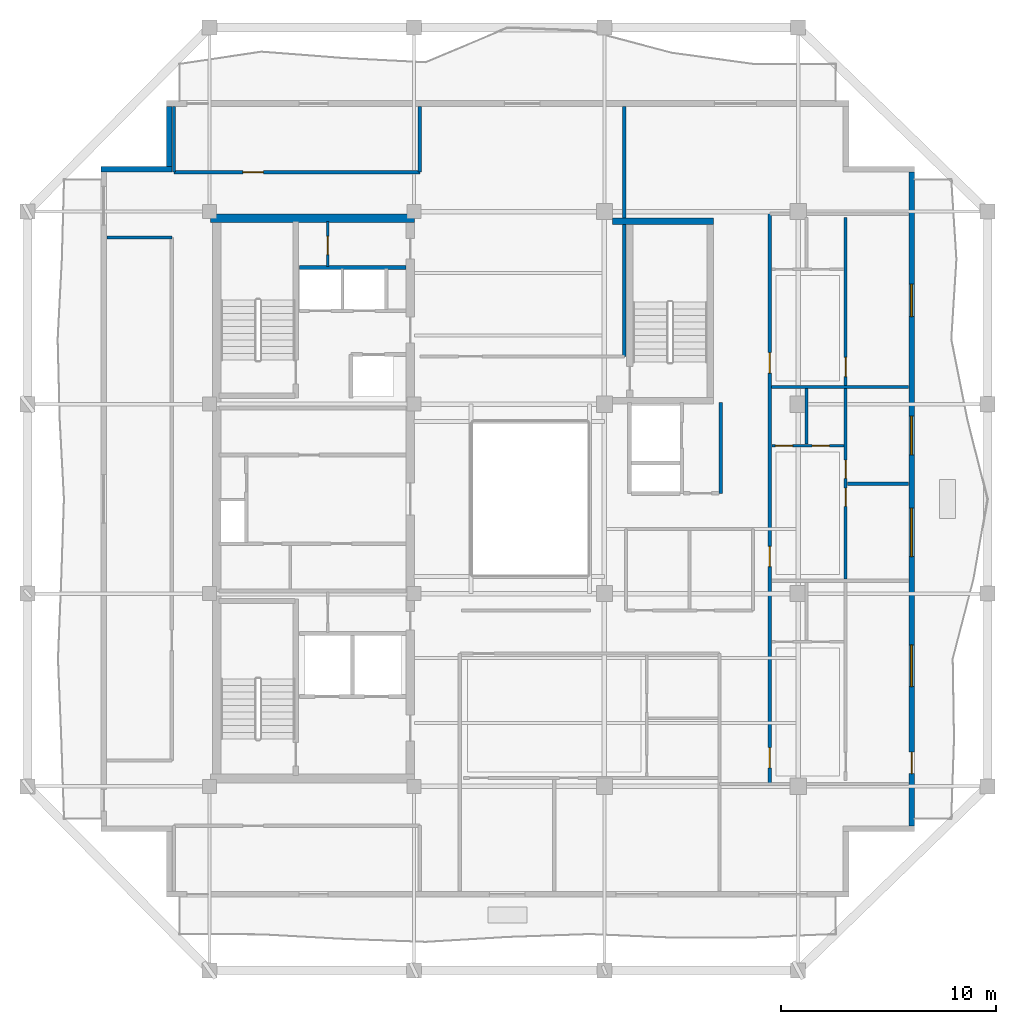
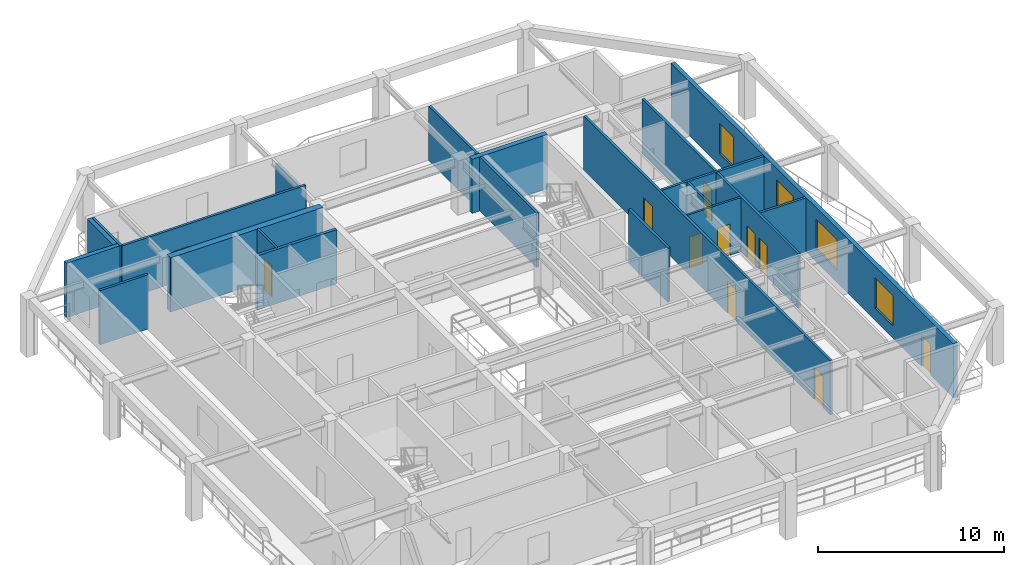
# One storey, part 5 of 10: 20 walls, 11 doors, 4 windows, 15 openings.
"""IFC4 building model written with IfcOpenShell, lengths in metres."""

from ifc_helpers import new_model, si_unit, direction, frame, frame_2d, origin, place, context, subcontext, project, spatial, rectangle, extrude, material, layer, layer_set, type_object, element, fill, save


model = new_model("IFC4")

# Units and contexts
model_context = context("Model", 3, precision=1e-05, world=origin(), true_north=direction((0.0, 1.0)))
body_context = subcontext(model_context, "Body", "Model", "MODEL_VIEW")
ifc_project = project(units=[si_unit("LENGTHUNIT", "METRE"), si_unit("AREAUNIT", "SQUARE_METRE"), si_unit("VOLUMEUNIT", "CUBIC_METRE"), si_unit("PLANEANGLEUNIT", "RADIAN"), si_unit("MASSUNIT", "GRAM", prefix="KILO")], contexts=[model_context])

# Site, building, storey
site_placement = place(None, origin())
site = spatial("IfcSite", under=ifc_project, at=site_placement, CompositionType="ELEMENT")
building_placement = place(site_placement, origin())
building = spatial("IfcBuilding", under=site, at=building_placement, Name="Kundavana Baori Tower", CompositionType="ELEMENT")
storey_placement = place(building_placement, frame((0.0, 0.0, 312.5)))
storey = spatial("IfcBuildingStorey", under=building, at=storey_placement, Name="L77", CompositionType="ELEMENT", Elevation=312.5)

# Wall
ifc_material_1 = material(Name="Concrete C50/60", Category="concrete")
ifc_layer_1 = layer(ifc_material_1, 0.39990234375, Name="WL-CORE-400")
ifc_layer_set_1 = layer_set([ifc_layer_1], Name="Concrete C50/60")
wall_type_1 = type_object("IfcWallType", Name="WL-CORE-400", PredefinedType="SHEAR", material=ifc_layer_set_1)
wall_1_placement = place(storey_placement, frame((15.5, 41.639892578125, 0.0), z_axis=(0.0, 0.0, 1.0), x_axis=(1.0, 0.0, 0.0)))
element("IfcWall", 1, at=wall_1_placement, inside=storey, type_object=wall_type_1, Name="L77 Offset Core North Shear Wall", PredefinedType="SHEAR", context=body_context, shape_type="SweptSolid", body=[
    extrude(rectangle(XDim=9.47998046875, YDim=0.39990234375, at=frame_2d((4.739990234375, 0.0))), origin(), (0.0, 0.0, 1.0), 3.56005859375),
])

# Wall, openings, door, windows
ifc_material_2 = material(Name="Kiln-Fired Terracotta Brick-Slip Masonry on Concrete C40/50", Category="masonry")
ifc_layer_2 = layer(ifc_material_2, 0.260009765625, Name="WL-EXT-BRK-260")
ifc_layer_set_2 = layer_set([ifc_layer_2], Name="Kiln-Fired Terracotta Brick-Slip Masonry on Concrete C40/50")
wall_type_2 = type_object("IfcWallType", Name="WL-EXT-BRK-260", PredefinedType="SOLIDWALL", material=ifc_layer_set_2)
wall_2_placement = place(storey_placement, frame((48.070068359375, 13.409912109375, 0.0), z_axis=(0.0, 0.0, 1.0), x_axis=(0.0, 1.0, 0.0)))
wall_2 = element("IfcWall", 2, at=wall_2_placement, inside=storey, type_object=wall_type_2, Name="L77 Exterior Insulated Facade Wall 04", PredefinedType="SOLIDWALL", context=body_context, shape_type="SweptSolid", body=[
    extrude(rectangle(XDim=30.380126953125, YDim=0.260009765625, at=frame_2d((15.18994140625, 0.0))), origin(), (0.0, 0.0, 1.0), 3.56005859375),
])
opening_1_placement = place(wall_2_placement, frame((2.429931640625, 0.0, 0.0)))
opening_1 = element("IfcOpeningElement", 3, at=opening_1_placement, cuts=wall_2, Name="Opening BD-1", PredefinedType="OPENING", context=body_context, shape_type="SweptSolid", body=[
    extrude(rectangle(XDim=1.0, YDim=2.050048828125, at=frame_2d((0.5, 1.02490234375))), frame((0.0, 0.14013671875, 0.0), z_axis=(0.0, -1.0, 0.0), x_axis=(1.0, 0.0, 0.0)), (0.0, 0.0, 1.0), 0.280029296875),
])
opening_2_placement = place(wall_2_placement, frame((6.465087890625, 0.0, 0.800048828125)))
opening_2 = element("IfcOpeningElement", 4, at=opening_2_placement, cuts=wall_2, Name="Opening W-09", PredefinedType="OPENING", context=body_context, shape_type="SweptSolid", body=[
    extrude(rectangle(XDim=1.949951171875, YDim=2.0, at=frame_2d((0.97509765625, 1.0))), frame((0.0, 0.14013671875, 0.0), z_axis=(0.0, -1.0, 0.0), x_axis=(1.0, 0.0, 0.0)), (0.0, 0.0, 1.0), 0.280029296875),
])
opening_3_placement = place(wall_2_placement, frame((12.514892578125, 0.0, 0.800048828125)))
opening_3 = element("IfcOpeningElement", 5, at=opening_3_placement, cuts=wall_2, Name="Opening W-10", PredefinedType="OPENING", context=body_context, shape_type="SweptSolid", body=[
    extrude(rectangle(XDim=2.25, YDim=2.0, at=frame_2d((1.125, 1.0))), frame((0.0, 0.14013671875, 0.0), z_axis=(0.0, -1.0, 0.0), x_axis=(1.0, 0.0, 0.0)), (0.0, 0.0, 1.0), 0.280029296875),
])
opening_4_placement = place(wall_2_placement, frame((17.239990234375, 0.0, 0.800048828125)))
opening_4 = element("IfcOpeningElement", 6, at=opening_4_placement, cuts=wall_2, Name="Opening W-01", PredefinedType="OPENING", context=body_context, shape_type="SweptSolid", body=[
    extrude(rectangle(XDim=1.800048828125, YDim=2.0, at=frame_2d((0.89990234375, 1.0))), frame((0.0, 0.14013671875, 0.0), z_axis=(0.0, -1.0, 0.0), x_axis=(1.0, 0.0, 0.0)), (0.0, 0.0, 1.0), 0.280029296875),
])
opening_5_placement = place(wall_2_placement, frame((23.6650390625, 0.0, 0.800048828125)))
opening_5 = element("IfcOpeningElement", 7, at=opening_5_placement, cuts=wall_2, Name="Opening W-02", PredefinedType="OPENING", context=body_context, shape_type="SweptSolid", body=[
    extrude(rectangle(XDim=1.5, YDim=2.0, at=frame_2d((0.75, 1.0))), frame((0.0, 0.14013671875, 0.0), z_axis=(0.0, -1.0, 0.0), x_axis=(1.0, 0.0, 0.0)), (0.0, 0.0, 1.0), 0.280029296875),
])
ifc_material_3 = material(Name="Architectural Patinated Bronze Metalwork")
door_type_1 = type_object("IfcDoorType", Name="DR-EXT-LOG-1000", OperationType="NOTDEFINED", PredefinedType="DOOR", material=ifc_material_3)
door_1_placement = place(opening_1_placement, frame((1.0, 0.0, 0.0), z_axis=(0.0, 0.0, 1.0), x_axis=(-1.0, 0.0, 0.0)))
door_1 = element("IfcDoor", 8, at=door_1_placement, inside=storey, type_object=door_type_1, Name="L77 Loggia Balcony Access Door E", OperationType="SINGLE_SWING_RIGHT", OverallHeight=2.050048828125, OverallWidth=1.0, PredefinedType="DOOR", context=body_context, shape_type="SweptSolid", body=[
    extrude(rectangle(XDim=1.0, YDim=2.050048828125, at=frame_2d((0.5, 1.02490234375))), frame((0.0, 0.02490234375, 0.0), z_axis=(0.0, -1.0, 0.0), x_axis=(1.0, 0.0, 0.0)), (0.0, 0.0, 1.0), 0.050048828125),
])
fill(opening_1, door_1)
ifc_material_4 = material(Name="Double-Glazed Solar-Control Low-E Insulated Glass", Category="glass")
window_type_1 = type_object("IfcWindowType", Name="WIN-LOG-1500x2000", PartitioningType="SINGLE_PANEL", PredefinedType="WINDOW", material=ifc_material_4)
window_1_placement = place(opening_5_placement, origin())
window_1 = element("IfcWindow", 9, at=window_1_placement, inside=storey, type_object=window_type_1, Name="L77 Recessed Loggia Window E-4", OverallHeight=2.0, OverallWidth=1.5, PartitioningType="SINGLE_PANEL", PredefinedType="WINDOW", context=body_context, shape_type="SweptSolid", body=[
    extrude(rectangle(XDim=1.5, YDim=2.0, at=frame_2d((0.75, 1.0))), frame((0.0, 0.030029296875, 0.0), z_axis=(0.0, -1.0, 0.0), x_axis=(1.0, 0.0, 0.0)), (0.0, 0.0, 1.0), 0.06005859375),
])
fill(opening_5, window_1)
ifc_material_5 = material(Name="Double-Glazed Solar-Control Low-E Insulated Glass", Category="glass")
window_type_2 = type_object("IfcWindowType", Name="WIN-LOG-1800x2000", PartitioningType="SINGLE_PANEL", PredefinedType="WINDOW", material=ifc_material_5)
window_2_placement = place(opening_4_placement, origin())
window_2 = element("IfcWindow", 10, at=window_2_placement, inside=storey, type_object=window_type_2, Name="L77 Recessed Loggia Window E-3", OverallHeight=2.0, OverallWidth=1.800048828125, PartitioningType="SINGLE_PANEL", PredefinedType="WINDOW", context=body_context, shape_type="SweptSolid", body=[
    extrude(rectangle(XDim=1.800048828125, YDim=2.0, at=frame_2d((0.89990234375, 1.0))), frame((0.0, 0.030029296875, 0.0), z_axis=(0.0, -1.0, 0.0), x_axis=(1.0, 0.0, 0.0)), (0.0, 0.0, 1.0), 0.06005859375),
])
fill(opening_4, window_2)
ifc_material_6 = material(Name="Double-Glazed Solar-Control Low-E Insulated Glass", Category="glass")
window_type_3 = type_object("IfcWindowType", Name="WIN-LOG-1950x2000", PartitioningType="SINGLE_PANEL", PredefinedType="WINDOW", material=ifc_material_6)
window_3_placement = place(opening_2_placement, origin())
window_3 = element("IfcWindow", 11, at=window_3_placement, inside=storey, type_object=window_type_3, Name="L77 Recessed Loggia Window E-1", OverallHeight=2.0, OverallWidth=1.949951171875, PartitioningType="SINGLE_PANEL", PredefinedType="WINDOW", context=body_context, shape_type="SweptSolid", body=[
    extrude(rectangle(XDim=1.949951171875, YDim=2.0, at=frame_2d((0.97509765625, 1.0))), frame((0.0, 0.030029296875, 0.0), z_axis=(0.0, -1.0, 0.0), x_axis=(1.0, 0.0, 0.0)), (0.0, 0.0, 1.0), 0.06005859375),
])
fill(opening_2, window_3)
ifc_material_7 = material(Name="Double-Glazed Solar-Control Low-E Insulated Glass", Category="glass")
window_type_4 = type_object("IfcWindowType", Name="WIN-LOG-2250x2000", PartitioningType="SINGLE_PANEL", PredefinedType="WINDOW", material=ifc_material_7)
window_4_placement = place(opening_3_placement, origin())
window_4 = element("IfcWindow", 12, at=window_4_placement, inside=storey, type_object=window_type_4, Name="L77 Recessed Loggia Window E-2", OverallHeight=2.0, OverallWidth=2.25, PartitioningType="SINGLE_PANEL", PredefinedType="WINDOW", context=body_context, shape_type="SweptSolid", body=[
    extrude(rectangle(XDim=2.25, YDim=2.0, at=frame_2d((1.125, 1.0))), frame((0.0, 0.030029296875, 0.0), z_axis=(0.0, -1.0, 0.0), x_axis=(1.0, 0.0, 0.0)), (0.0, 0.0, 1.0), 0.06005859375),
])
fill(opening_3, window_4)

# Walls
wall_3_placement = place(storey_placement, frame((13.580078125, 46.840087890625, 0.0), z_axis=(0.0, 0.0, 1.0), x_axis=(0.0, -1.0, 0.0)))
element("IfcWall", 13, at=wall_3_placement, inside=storey, type_object=wall_type_2, Name="L77 Exterior Insulated Facade Wall 08", PredefinedType="SOLIDWALL", context=body_context, shape_type="SweptSolid", body=[
    extrude(rectangle(XDim=2.7900390625, YDim=0.260009765625, at=frame_2d((1.39501953125, 0.0))), origin(), (0.0, 0.0, 1.0), 3.56005859375),
])
wall_4_placement = place(storey_placement, frame((13.7099609375, 43.919921875, 0.0), z_axis=(0.0, 0.0, 1.0), x_axis=(-1.0, 0.0, 0.0)))
element("IfcWall", 14, at=wall_4_placement, inside=storey, type_object=wall_type_2, Name="L77 Exterior Insulated Facade Wall 09", PredefinedType="SOLIDWALL", context=body_context, shape_type="SweptSolid", body=[
    extrude(rectangle(XDim=3.31005859375, YDim=0.260009765625, at=frame_2d((1.655029296875, 0.0))), origin(), (0.0, 0.0, 1.0), 3.56005859375),
])

# Wall, opening, door
ifc_material_8 = material(Name="Acoustic Gypsum Plasterboard on Galvanised Steel Studs", Category="steel")
ifc_layer_3 = layer(ifc_material_8, 0.1201171875, Name="WL-PART-120")
ifc_layer_set_3 = layer_set([ifc_layer_3], Name="Acoustic Gypsum Plasterboard on Galvanised Steel Studs")
wall_type_3 = type_object("IfcWallType", Name="WL-PART-120", PredefinedType="PARTITIONING", material=ifc_layer_set_3)
wall_5_placement = place(storey_placement, frame((20.949951171875, 39.39990234375, 0.0), z_axis=(0.0, 0.0, 1.0), x_axis=(0.0, 1.0, 0.0)))
wall_5 = element("IfcWall", 15, at=wall_5_placement, inside=storey, type_object=wall_type_3, Name="WL-L77-CSRV-D2", PredefinedType="PARTITIONING", context=body_context, shape_type="SweptSolid", body=[
    extrude(rectangle(XDim=2.080078125, YDim=0.1201171875, at=frame_2d((1.0400390625, 0.0))), origin(), (0.0, 0.0, 1.0), 3.56005859375),
])
opening_6_placement = place(wall_5_placement, frame((0.550048828125, 0.0, 0.0)))
opening_6 = element("IfcOpeningElement", 16, at=opening_6_placement, cuts=wall_5, Name="Opening FD-085", PredefinedType="OPENING", context=body_context, shape_type="SweptSolid", body=[
    extrude(rectangle(XDim=0.85009765625, YDim=2.06005859375, at=frame_2d((0.425048828125, 1.030029296875))), frame((0.0, 0.070068359375, 0.0), z_axis=(0.0, -1.0, 0.0), x_axis=(1.0, 0.0, 0.0)), (0.0, 0.0, 1.0), 0.14013671875),
])
ifc_material_9 = material(Name="Galvanised Steel Fire-Rated Door Leaf", Category="steel")
door_type_2 = type_object("IfcDoorType", Name="DR-FD60-850", OperationType="NOTDEFINED", PredefinedType="DOOR", material=ifc_material_9)
door_2_placement = place(opening_6_placement, origin())
door_2 = element("IfcDoor", 17, at=door_2_placement, inside=storey, type_object=door_type_2, Name="DR-L77-CSRV1", OperationType="SINGLE_SWING_RIGHT", OverallHeight=2.06005859375, OverallWidth=0.85009765625, PredefinedType="DOOR", context=body_context, shape_type="SweptSolid", body=[
    extrude(rectangle(XDim=0.85009765625, YDim=2.06005859375, at=frame_2d((0.425048828125, 1.030029296875))), frame((0.0, 0.02490234375, 0.0), z_axis=(0.0, -1.0, 0.0), x_axis=(1.0, 0.0, 0.0)), (0.0, 0.0, 1.0), 0.050048828125),
])
fill(opening_6, door_2)

# Wall
ifc_material_10 = material(Name="Fire-Rated Gypsum Drywall on Galvanised Steel Studs", Category="steel")
ifc_layer_4 = layer(ifc_material_10, 0.14990234375, Name="WL-PART-150")
ifc_layer_set_4 = layer_set([ifc_layer_4], Name="Fire-Rated Gypsum Drywall on Galvanised Steel Studs")
wall_type_4 = type_object("IfcWallType", Name="WL-PART-150", PredefinedType="PARTITIONING", material=ifc_layer_set_4)
wall_6_placement = place(storey_placement, frame((39.199951171875, 28.860107421875, 0.0), z_axis=(0.0, 0.0, 1.0), x_axis=(0.0, 1.0, 0.0)))
element("IfcWall", 18, at=wall_6_placement, inside=storey, type_object=wall_type_4, Name="WL-L77-SVLOB-E", PredefinedType="PARTITIONING", context=body_context, shape_type="SweptSolid", body=[
    extrude(rectangle(XDim=4.219970703125, YDim=0.14990234375, at=frame_2d((2.10986328125, 0.0))), origin(), (0.0, 0.0, 1.0), 3.56005859375),
])

# Wall, opening, door
wall_7_placement = place(storey_placement, frame((13.800048828125, 43.780029296875, 0.0), z_axis=(0.0, 0.0, 1.0), x_axis=(1.0, 0.0, 0.0)))
wall_7 = element("IfcWall", 19, at=wall_7_placement, inside=storey, type_object=wall_type_4, Name="WL-L77-RNC", PredefinedType="PARTITIONING", context=body_context, shape_type="SweptSolid", body=[
    extrude(rectangle(XDim=11.419921875, YDim=0.14990234375, at=frame_2d((5.7099609375, 0.0))), origin(), (0.0, 0.0, 1.0), 3.56005859375),
])
opening_7_placement = place(wall_7_placement, frame((3.199951171875, 0.0, 0.0)))
opening_7 = element("IfcOpeningElement", 20, at=opening_7_placement, cuts=wall_7, Name="Opening ID-095", PredefinedType="OPENING", context=body_context, shape_type="SweptSolid", body=[
    extrude(rectangle(XDim=0.949951171875, YDim=2.080078125, at=frame_2d((0.47509765625, 1.0400390625))), frame((0.0, 0.0849609375, 0.0), z_axis=(0.0, -1.0, 0.0), x_axis=(1.0, 0.0, 0.0)), (0.0, 0.0, 1.0), 0.169921875),
])
ifc_material_11 = material(Name="Engineered Teak Solid-Core Timber Veneer", Category="wood")
door_type_3 = type_object("IfcDoorType", Name="DR-INT-950", OperationType="NOTDEFINED", PredefinedType="DOOR", material=ifc_material_11)
door_3_placement = place(opening_7_placement, origin())
door_3 = element("IfcDoor", 21, at=door_3_placement, inside=storey, type_object=door_type_3, Name="DR-L77-RMNW", OperationType="SINGLE_SWING_RIGHT", OverallHeight=2.080078125, OverallWidth=0.949951171875, PredefinedType="DOOR", context=body_context, shape_type="SweptSolid", body=[
    extrude(rectangle(XDim=0.949951171875, YDim=2.080078125, at=frame_2d((0.47509765625, 1.0400390625))), frame((0.0, 0.02490234375, 0.0), z_axis=(0.0, -1.0, 0.0), x_axis=(1.0, 0.0, 0.0)), (0.0, 0.0, 1.0), 0.050048828125),
])
fill(opening_7, door_3)

# Walls
wall_8_placement = place(storey_placement, frame((13.800048828125, 43.780029296875, 0.0), z_axis=(0.0, 0.0, 1.0), x_axis=(0.0, 1.0, 0.0)))
element("IfcWall", 22, at=wall_8_placement, inside=storey, type_object=wall_type_4, Name="WL-L77-RNCW", PredefinedType="PARTITIONING", context=body_context, shape_type="SweptSolid", body=[
    extrude(rectangle(XDim=3.0400390625, YDim=0.14990234375, at=frame_2d((1.52001953125, 0.0))), origin(), (0.0, 0.0, 1.0), 3.56005859375),
])
wall_9_placement = place(storey_placement, frame((25.219970703125, 43.780029296875, 0.0), z_axis=(0.0, 0.0, 1.0), x_axis=(0.0, 1.0, 0.0)))
element("IfcWall", 23, at=wall_9_placement, inside=storey, type_object=wall_type_4, Name="WL-L77-RNCE", PredefinedType="PARTITIONING", context=body_context, shape_type="SweptSolid", body=[
    extrude(rectangle(XDim=3.0400390625, YDim=0.14990234375, at=frame_2d((1.52001953125, 0.0))), origin(), (0.0, 0.0, 1.0), 3.110107421875),
])
wall_10_placement = place(storey_placement, frame((10.679931640625, 40.75, 0.0), z_axis=(0.0, 0.0, 1.0), x_axis=(1.0, 0.0, 0.0)))
element("IfcWall", 24, at=wall_10_placement, inside=storey, type_object=wall_type_4, Name="WL-L77-RWN", PredefinedType="PARTITIONING", context=body_context, shape_type="SweptSolid", body=[
    extrude(rectangle(XDim=3.02001953125, YDim=0.14990234375, at=frame_2d((1.510009765625, 0.0))), origin(), (0.0, 0.0, 1.0), 3.56005859375),
])
wall_11_placement = place(storey_placement, frame((34.719970703125, 35.219970703125, 0.0), z_axis=(0.0, 0.0, 1.0), x_axis=(0.0, 1.0, 0.0)))
element("IfcWall", 25, at=wall_11_placement, inside=storey, type_object=wall_type_4, Name="WL-L77-RNEND", PredefinedType="PARTITIONING", context=body_context, shape_type="SweptSolid", body=[
    extrude(rectangle(XDim=11.60009765625, YDim=0.14990234375, at=frame_2d((5.800048828125, 0.0))), origin(), (0.0, 0.0, 1.0), 3.56005859375),
])

# Wall, openings, doors
wall_12_placement = place(storey_placement, frame((41.47998046875, 15.35009765625, 0.0), z_axis=(0.0, 0.0, 1.0), x_axis=(0.0, 1.0, 0.0)))
wall_12 = element("IfcWall", 26, at=wall_12_placement, inside=storey, type_object=wall_type_4, Name="WL-L77-RE", PredefinedType="PARTITIONING", context=body_context, shape_type="SweptSolid", body=[
    extrude(rectangle(XDim=26.5, YDim=0.14990234375, at=frame_2d((13.25, 0.0))), origin(), (0.0, 0.0, 1.0), 3.56005859375),
])
opening_8_placement = place(wall_12_placement, frame((0.75, 0.0, 0.0)))
opening_8 = element("IfcOpeningElement", 27, at=opening_8_placement, cuts=wall_12, Name="Opening FD-095", PredefinedType="OPENING", context=body_context, shape_type="SweptSolid", body=[
    extrude(rectangle(XDim=0.949951171875, YDim=2.10009765625, at=frame_2d((0.47509765625, 1.050048828125))), frame((0.0, 0.0849609375, 0.0), z_axis=(0.0, -1.0, 0.0), x_axis=(1.0, 0.0, 0.0)), (0.0, 0.0, 1.0), 0.169921875),
])
opening_9_placement = place(wall_12_placement, frame((10.10009765625, 0.0, 0.0)))
opening_9 = element("IfcOpeningElement", 28, at=opening_9_placement, cuts=wall_12, Name="Opening FD-095", PredefinedType="OPENING", context=body_context, shape_type="SweptSolid", body=[
    extrude(rectangle(XDim=0.949951171875, YDim=2.10009765625, at=frame_2d((0.47509765625, 1.050048828125))), frame((0.0, 0.0849609375, 0.0), z_axis=(0.0, -1.0, 0.0), x_axis=(1.0, 0.0, 0.0)), (0.0, 0.0, 1.0), 0.169921875),
])
opening_10_placement = place(wall_12_placement, frame((19.10009765625, 0.0, 0.0)))
opening_10 = element("IfcOpeningElement", 29, at=opening_10_placement, cuts=wall_12, Name="Opening FD-095", PredefinedType="OPENING", context=body_context, shape_type="SweptSolid", body=[
    extrude(rectangle(XDim=0.949951171875, YDim=2.10009765625, at=frame_2d((0.47509765625, 1.050048828125))), frame((0.0, 0.0849609375, 0.0), z_axis=(0.0, -1.0, 0.0), x_axis=(1.0, 0.0, 0.0)), (0.0, 0.0, 1.0), 0.169921875),
])
ifc_material_12 = material(Name="Engineered Teak Fire-Rated Timber Door Leaf", Category="wood")
door_type_4 = type_object("IfcDoorType", Name="DR-FD60-950", OperationType="NOTDEFINED", PredefinedType="DOOR", material=ifc_material_12)
door_4_placement = place(opening_8_placement, origin())
door_4 = element("IfcDoor", 30, at=door_4_placement, inside=storey, type_object=door_type_4, Name="DR-L77-E1-ENT", OperationType="SINGLE_SWING_LEFT", OverallHeight=2.10009765625, OverallWidth=0.949951171875, PredefinedType="DOOR", context=body_context, shape_type="SweptSolid", body=[
    extrude(rectangle(XDim=0.949951171875, YDim=2.10009765625, at=frame_2d((0.47509765625, 1.050048828125))), frame((0.0, 0.02490234375, 0.0), z_axis=(0.0, -1.0, 0.0), x_axis=(1.0, 0.0, 0.0)), (0.0, 0.0, 1.0), 0.050048828125),
])
fill(opening_8, door_4)
door_5_placement = place(opening_9_placement, origin())
door_5 = element("IfcDoor", 31, at=door_5_placement, inside=storey, type_object=door_type_4, Name="DR-L77-E2-ENT", OperationType="SINGLE_SWING_LEFT", OverallHeight=2.10009765625, OverallWidth=0.949951171875, PredefinedType="DOOR", context=body_context, shape_type="SweptSolid", body=[
    extrude(rectangle(XDim=0.949951171875, YDim=2.10009765625, at=frame_2d((0.47509765625, 1.050048828125))), frame((0.0, 0.02490234375, 0.0), z_axis=(0.0, -1.0, 0.0), x_axis=(1.0, 0.0, 0.0)), (0.0, 0.0, 1.0), 0.050048828125),
])
fill(opening_9, door_5)
door_6_placement = place(opening_10_placement, origin())
door_6 = element("IfcDoor", 32, at=door_6_placement, inside=storey, type_object=door_type_4, Name="DR-L77-E3-ENT", OperationType="SINGLE_SWING_LEFT", OverallHeight=2.10009765625, OverallWidth=0.949951171875, PredefinedType="DOOR", context=body_context, shape_type="SweptSolid", body=[
    extrude(rectangle(XDim=0.949951171875, YDim=2.10009765625, at=frame_2d((0.47509765625, 1.050048828125))), frame((0.0, 0.02490234375, 0.0), z_axis=(0.0, -1.0, 0.0), x_axis=(1.0, 0.0, 0.0)), (0.0, 0.0, 1.0), 0.050048828125),
])
fill(opening_10, door_6)

wall_13_placement = place(storey_placement, frame((45.00390625, 24.8798828125, 0.0), z_axis=(0.0, 0.0, 1.0), x_axis=(0.0, 1.0, 0.0)))
wall_13 = element("IfcWall", 33, at=wall_13_placement, inside=storey, type_object=wall_type_4, Name="WL-L77-E2-VT", PredefinedType="PARTITIONING", context=body_context, shape_type="SweptSolid", body=[
    extrude(rectangle(XDim=8.840087890625, YDim=0.14990234375, at=frame_2d((4.419921875, 0.0))), origin(), (0.0, 0.0, 1.0), 3.56005859375),
])
opening_11_placement = place(wall_13_placement, frame((3.3701171875, 0.0, 0.0)))
opening_11 = element("IfcOpeningElement", 34, at=opening_11_placement, cuts=wall_13, Name="Opening ID-085", PredefinedType="OPENING", context=body_context, shape_type="SweptSolid", body=[
    extrude(rectangle(XDim=0.85009765625, YDim=2.080078125, at=frame_2d((0.425048828125, 1.0400390625))), frame((0.0, 0.0849609375, 0.0), z_axis=(0.0, -1.0, 0.0), x_axis=(1.0, 0.0, 0.0)), (0.0, 0.0, 1.0), 0.169921875),
])
opening_12_placement = place(wall_13_placement, frame((4.669921875, 0.0, 0.0)))
opening_12 = element("IfcOpeningElement", 35, at=opening_12_placement, cuts=wall_13, Name="Opening ID-085", PredefinedType="OPENING", context=body_context, shape_type="SweptSolid", body=[
    extrude(rectangle(XDim=0.85009765625, YDim=2.080078125, at=frame_2d((0.425048828125, 1.0400390625))), frame((0.0, 0.0849609375, 0.0), z_axis=(0.0, -1.0, 0.0), x_axis=(1.0, 0.0, 0.0)), (0.0, 0.0, 1.0), 0.169921875),
])
ifc_material_13 = material(Name="Engineered Teak Solid-Core Timber Veneer", Category="wood")
door_type_5 = type_object("IfcDoorType", Name="DR-INT-850", OperationType="NOTDEFINED", PredefinedType="DOOR", material=ifc_material_13)
door_7_placement = place(opening_11_placement, origin())
door_7 = element("IfcDoor", 36, at=door_7_placement, inside=storey, type_object=door_type_5, Name="DR-L77-E2-B1", OperationType="SINGLE_SWING_LEFT", OverallHeight=2.080078125, OverallWidth=0.85009765625, PredefinedType="DOOR", context=body_context, shape_type="SweptSolid", body=[
    extrude(rectangle(XDim=0.85009765625, YDim=2.080078125, at=frame_2d((0.425048828125, 1.0400390625))), frame((0.0, 0.02490234375, 0.0), z_axis=(0.0, -1.0, 0.0), x_axis=(1.0, 0.0, 0.0)), (0.0, 0.0, 1.0), 0.050048828125),
])
fill(opening_11, door_7)
door_8_placement = place(opening_12_placement, origin())
door_8 = element("IfcDoor", 37, at=door_8_placement, inside=storey, type_object=door_type_5, Name="DR-L77-E2-B2", OperationType="SINGLE_SWING_RIGHT", OverallHeight=2.080078125, OverallWidth=0.85009765625, PredefinedType="DOOR", context=body_context, shape_type="SweptSolid", body=[
    extrude(rectangle(XDim=0.85009765625, YDim=2.080078125, at=frame_2d((0.425048828125, 1.0400390625))), frame((0.0, 0.02490234375, 0.0), z_axis=(0.0, -1.0, 0.0), x_axis=(1.0, 0.0, 0.0)), (0.0, 0.0, 1.0), 0.050048828125),
])
fill(opening_12, door_8)

# Walls
wall_14_placement = place(storey_placement, frame((45.083984375, 29.300048828125, 0.0), z_axis=(0.0, 0.0, 1.0), x_axis=(1.0, 0.0, 0.0)))
element("IfcWall", 38, at=wall_14_placement, inside=storey, type_object=wall_type_4, Name="WL-L77-E2-BDH", PredefinedType="PARTITIONING", context=body_context, shape_type="SweptSolid", body=[
    extrude(rectangle(XDim=2.8359375, YDim=0.14990234375, at=frame_2d((1.41796875, 0.0))), origin(), (0.0, 0.0, 1.0), 3.56005859375),
])
wall_15_placement = place(storey_placement, frame((41.56005859375, 33.800048828125, 0.0), z_axis=(0.0, 0.0, 1.0), x_axis=(1.0, 0.0, 0.0)))
element("IfcWall", 39, at=wall_15_placement, inside=storey, type_object=wall_type_4, Name="WL-L77-RED2", PredefinedType="PARTITIONING", context=body_context, shape_type="SweptSolid", body=[
    extrude(rectangle(XDim=6.35986328125, YDim=0.14990234375, at=frame_2d((3.179931640625, 0.0))), origin(), (0.0, 0.0, 1.0), 3.56005859375),
])

# Wall, opening, door
wall_16_placement = place(storey_placement, frame((45.00390625, 33.8798828125, 0.0), z_axis=(0.0, 0.0, 1.0), x_axis=(0.0, 1.0, 0.0)))
wall_16 = element("IfcWall", 40, at=wall_16_placement, inside=storey, type_object=wall_type_4, Name="WL-L77-E3-VT", PredefinedType="PARTITIONING", context=body_context, shape_type="SweptSolid", body=[
    extrude(rectangle(XDim=7.7900390625, YDim=0.14990234375, at=frame_2d((3.89501953125, 0.0))), origin(), (0.0, 0.0, 1.0), 3.56005859375),
])
opening_13_placement = place(wall_16_placement, frame((0.39990234375, 0.0, 0.0)))
opening_13 = element("IfcOpeningElement", 41, at=opening_13_placement, cuts=wall_16, Name="Opening ID-090", PredefinedType="OPENING", context=body_context, shape_type="SweptSolid", body=[
    extrude(rectangle(XDim=0.89990234375, YDim=2.080078125, at=frame_2d((0.449951171875, 1.0400390625))), frame((0.0, 0.0849609375, 0.0), z_axis=(0.0, -1.0, 0.0), x_axis=(1.0, 0.0, 0.0)), (0.0, 0.0, 1.0), 0.169921875),
])
ifc_material_14 = material(Name="Engineered Teak Solid-Core Timber Veneer", Category="wood")
door_type_6 = type_object("IfcDoorType", Name="DR-INT-900", OperationType="NOTDEFINED", PredefinedType="DOOR", material=ifc_material_14)
door_9_placement = place(opening_13_placement, origin())
door_9 = element("IfcDoor", 42, at=door_9_placement, inside=storey, type_object=door_type_6, Name="DR-L77-E3-B1", OperationType="SINGLE_SWING_LEFT", OverallHeight=2.080078125, OverallWidth=0.89990234375, PredefinedType="DOOR", context=body_context, shape_type="SweptSolid", body=[
    extrude(rectangle(XDim=0.89990234375, YDim=2.080078125, at=frame_2d((0.449951171875, 1.0400390625))), frame((0.0, 0.02490234375, 0.0), z_axis=(0.0, -1.0, 0.0), x_axis=(1.0, 0.0, 0.0)), (0.0, 0.0, 1.0), 0.050048828125),
])
fill(opening_13, door_9)

# Walls
ifc_material_15 = material(Name="Autoclaved Aerated Concrete Blockwork Masonry", Category="masonry")
ifc_layer_5 = layer(ifc_material_15, 0.179931640625, Name="WL-SHAFT-180")
ifc_layer_set_5 = layer_set([ifc_layer_5], Name="Autoclaved Aerated Concrete Blockwork Masonry")
wall_type_5 = type_object("IfcWallType", Name="WL-SHAFT-180", PredefinedType="SOLIDWALL", material=ifc_layer_set_5)
wall_17_placement = place(storey_placement, frame((19.639892578125, 39.360107421875, 0.0), z_axis=(0.0, 0.0, 1.0), x_axis=(1.0, 0.0, 0.0)))
element("IfcWall", 43, at=wall_17_placement, inside=storey, type_object=wall_type_5, Name="WL-L77-HRLOB-TOP", PredefinedType="SOLIDWALL", context=body_context, shape_type="SweptSolid", body=[
    extrude(rectangle(XDim=4.940185546875, YDim=0.179931640625, at=frame_2d((2.47021484375, 0.0))), origin(), (0.0, 0.0, 1.0), 3.56005859375),
])
ifc_material_16 = material(Name="Concrete C50/60", Category="concrete")
ifc_layer_6 = layer(ifc_material_16, 0.300048828125, Name="WL-ST3-300")
ifc_layer_set_6 = layer_set([ifc_layer_6], Name="Concrete C50/60")
wall_type_6 = type_object("IfcWallType", Name="WL-ST3-300", PredefinedType="SHEAR", material=ifc_layer_set_6)
wall_18_placement = place(storey_placement, frame((34.175048828125, 41.489990234375, 0.0), z_axis=(0.0, 0.0, 1.0), x_axis=(1.0, 0.0, 0.0)))
element("IfcWall", 44, at=wall_18_placement, inside=storey, type_object=wall_type_6, Name="L77 Stair ST3 North Shear Wall", PredefinedType="SHEAR", context=body_context, shape_type="SweptSolid", body=[
    extrude(rectangle(XDim=4.695068359375, YDim=0.300048828125, at=frame_2d((2.34765625, 0.0))), origin(), (0.0, 0.0, 1.0), 3.56005859375),
])

# Wall, openings, doors
ifc_material_17 = material(Name="Autoclaved Aerated Concrete Blockwork Masonry", Category="masonry")
ifc_layer_7 = layer(ifc_material_17, 0.125, Name="WL-WET-120")
ifc_layer_set_7 = layer_set([ifc_layer_7], Name="Autoclaved Aerated Concrete Blockwork Masonry")
wall_type_7 = type_object("IfcWallType", Name="WL-WET-120", PredefinedType="PLUMBINGWALL", material=ifc_layer_set_7)
wall_19_placement = place(storey_placement, frame((41.580078125, 31.068115234375, 0.0), z_axis=(0.0, 0.0, 1.0), x_axis=(1.0, 0.0, 0.0)))
wall_19 = element("IfcWall", 45, at=wall_19_placement, inside=storey, type_object=wall_type_7, Name="WL-L77-E2-KH", PredefinedType="PLUMBINGWALL", context=body_context, shape_type="SweptSolid", body=[
    extrude(rectangle(XDim=3.343994140625, YDim=0.125, at=frame_2d((1.671875, 0.0))), origin(), (0.0, 0.0, 1.0), 3.56005859375),
])
opening_14_placement = place(wall_19_placement, frame((0.159912109375, 0.0, 0.0)))
opening_14 = element("IfcOpeningElement", 46, at=opening_14_placement, cuts=wall_19, Name="Opening WD-080", PredefinedType="OPENING", context=body_context, shape_type="SweptSolid", body=[
    extrude(rectangle(XDim=0.800048828125, YDim=2.050048828125, at=frame_2d((0.39990234375, 1.02490234375))), frame((0.0, 0.072509765625, 0.0), z_axis=(0.0, -1.0, 0.0), x_axis=(1.0, 0.0, 0.0)), (0.0, 0.0, 1.0), 0.14501953125),
])
opening_15_placement = place(wall_19_placement, frame((1.864990234375, 0.0, 0.0)))
opening_15 = element("IfcOpeningElement", 47, at=opening_15_placement, cuts=wall_19, Name="Opening WD-080", PredefinedType="OPENING", context=body_context, shape_type="SweptSolid", body=[
    extrude(rectangle(XDim=0.800048828125, YDim=2.050048828125, at=frame_2d((0.39990234375, 1.02490234375))), frame((0.0, 0.072509765625, 0.0), z_axis=(0.0, -1.0, 0.0), x_axis=(1.0, 0.0, 0.0)), (0.0, 0.0, 1.0), 0.14501953125),
])
ifc_material_18 = material(Name="Engineered Teak Solid-Core Timber Veneer", Category="wood")
door_type_7 = type_object("IfcDoorType", Name="DR-WET-800", OperationType="NOTDEFINED", PredefinedType="DOOR", material=ifc_material_18)
door_10_placement = place(opening_14_placement, origin())
door_10 = element("IfcDoor", 48, at=door_10_placement, inside=storey, type_object=door_type_7, Name="DR-L77-E2-BT", OperationType="SINGLE_SWING_LEFT", OverallHeight=2.050048828125, OverallWidth=0.800048828125, PredefinedType="DOOR", context=body_context, shape_type="SweptSolid", body=[
    extrude(rectangle(XDim=0.800048828125, YDim=2.050048828125, at=frame_2d((0.39990234375, 1.02490234375))), frame((0.0, 0.02490234375, 0.0), z_axis=(0.0, -1.0, 0.0), x_axis=(1.0, 0.0, 0.0)), (0.0, 0.0, 1.0), 0.050048828125),
])
fill(opening_14, door_10)
door_11_placement = place(opening_15_placement, origin())
door_11 = element("IfcDoor", 49, at=door_11_placement, inside=storey, type_object=door_type_7, Name="DR-L77-E2-KT", OperationType="SINGLE_SWING_RIGHT", OverallHeight=2.050048828125, OverallWidth=0.800048828125, PredefinedType="DOOR", context=body_context, shape_type="SweptSolid", body=[
    extrude(rectangle(XDim=0.800048828125, YDim=2.050048828125, at=frame_2d((0.39990234375, 1.02490234375))), frame((0.0, 0.02490234375, 0.0), z_axis=(0.0, -1.0, 0.0), x_axis=(1.0, 0.0, 0.0)), (0.0, 0.0, 1.0), 0.050048828125),
])
fill(opening_15, door_11)

# Wall
wall_20_placement = place(storey_placement, frame((43.18505859375, 31.14794921875, 0.0), z_axis=(0.0, 0.0, 1.0), x_axis=(0.0, 1.0, 0.0)))
element("IfcWall", 50, at=wall_20_placement, inside=storey, type_object=wall_type_7, Name="WL-L77-E2-BV", PredefinedType="PLUMBINGWALL", context=body_context, shape_type="SweptSolid", body=[
    extrude(rectangle(XDim=2.572021484375, YDim=0.125, at=frame_2d((1.2861328125, 0.0))), origin(), (0.0, 0.0, 1.0), 3.56005859375),
])

save(model, "model.ifc")
